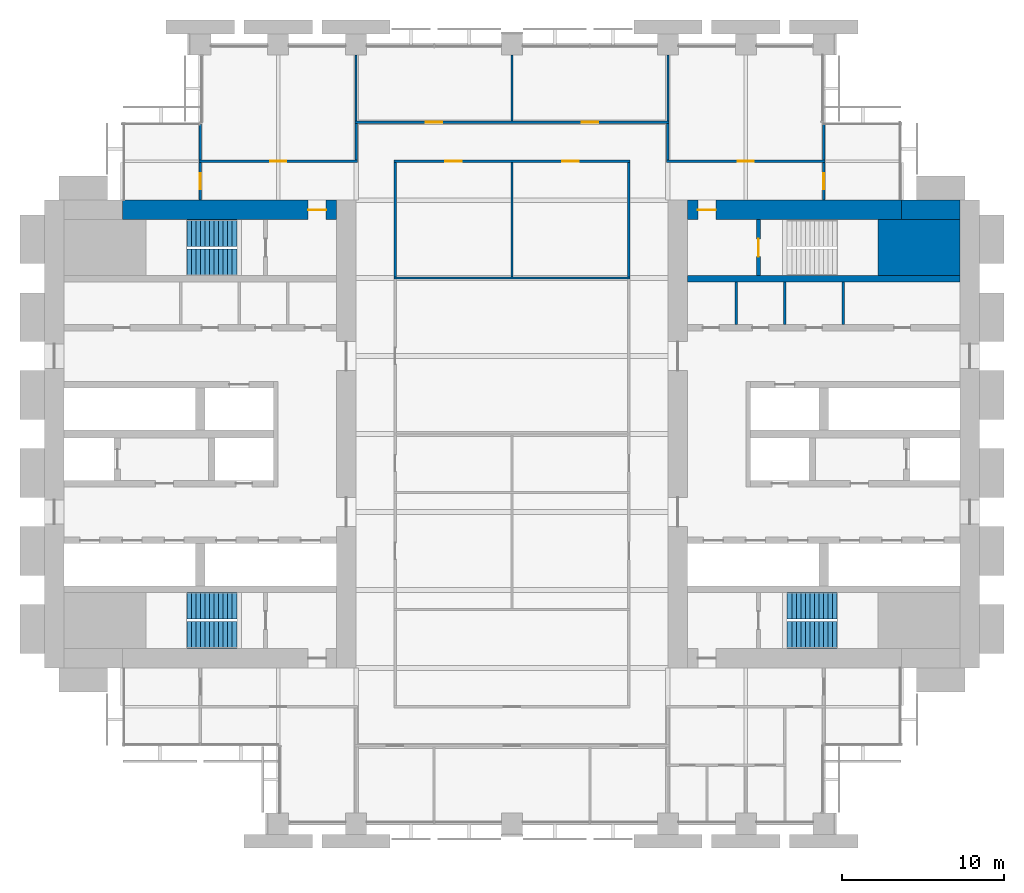
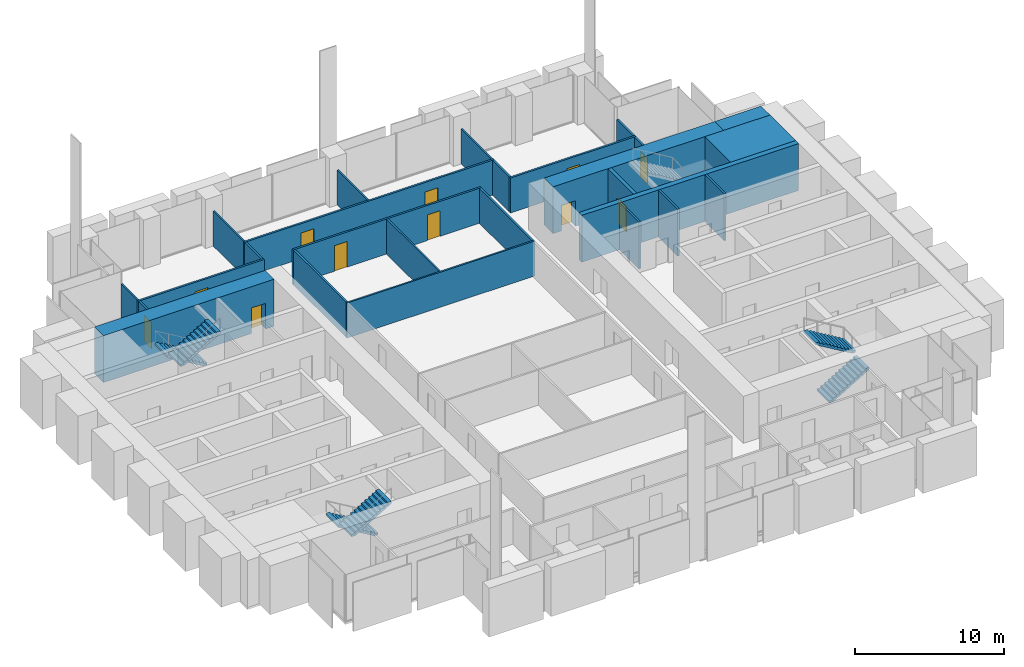
# One storey, part 12 of 14: 26 walls, 11 doors, 6 stair flights, 11 openings, 3 elements without a shape of their own.
"""IFC4 building model written with IfcOpenShell, lengths in metres."""

from ifc_helpers import new_model, si_unit, direction, frame, frame_2d, origin, place, context, subcontext, project, spatial, polyline, rectangle, outline, extrude, material, layer, layer_set, type_object, element, fill, aggregate, save


model = new_model("IFC4")

# Units and contexts
model_context = context("Model", 3, precision=1e-05, world=origin(), true_north=direction((0.0, 1.0)))
body_context = subcontext(model_context, "Body", "Model", "MODEL_VIEW")
ifc_project = project(units=[si_unit("LENGTHUNIT", "METRE"), si_unit("AREAUNIT", "SQUARE_METRE"), si_unit("VOLUMEUNIT", "CUBIC_METRE"), si_unit("PLANEANGLEUNIT", "RADIAN"), si_unit("MASSUNIT", "GRAM", prefix="KILO")], contexts=[model_context])

# Site, building, storey
site_placement = place(None, origin())
site = spatial("IfcSite", under=ifc_project, at=site_placement, CompositionType="ELEMENT")
building_placement = place(site_placement, origin())
building = spatial("IfcBuilding", under=site, at=building_placement, Name="Baori Bourse Tower", CompositionType="ELEMENT")
storey_placement = place(building_placement, frame((0.0, 0.0, 51.0)))
storey = spatial("IfcBuildingStorey", under=building, at=storey_placement, Name="L10", CompositionType="ELEMENT", Elevation=51.0)

# Walls
ifc_material_1 = material(Name="Concrete f'c 70 MPa", Category="concrete")
wall_type_1 = type_object("IfcWallType", Name="Core corner block f'c 70", PredefinedType="SHEAR", material=ifc_material_1)
wall_1_placement = place(storey_placement, frame((51.35009765625, 35.47509765625, 0.0), z_axis=(0.0, 0.0, 1.0), x_axis=(1.0, 0.0, 0.0)))
element("IfcWall", 1, at=wall_1_placement, inside=storey, type_object=wall_type_1, Name="Core wall E22", PredefinedType="SHEAR", context=body_context, shape_type="SweptSolid", body=[
    extrude(rectangle(XDim=5.0498046875, YDim=3.449951171875, at=frame_2d((2.52490234375, 0.0))), origin(), (0.0, 0.0, 1.0), 3.840087890625),
])
ifc_material_2 = material(Name="Blockwork partition", Category="masonry")
ifc_layer_1 = layer(ifc_material_2, 0.14990234375)
ifc_layer_set_1 = layer_set([ifc_layer_1], Name="Core partition 150")
wall_type_2 = type_object("IfcWallType", Name="Core partition 150", PredefinedType="PARTITIONING", material=ifc_layer_set_1)
for number, where, z_axis, x_axis, name in (
    (2, (49.199951171875, 30.75, 0.0), (0.0, 0.0, 1.0), (0.0, 1.0, 0.0), "Partition wall E18"),
    (3, (45.60009765625, 30.75, 0.0), (0.0, 0.0, 1.0), (0.0, 1.0, 0.0), "Partition wall E19"),
    (4, (42.60009765625, 30.75, 0.0), (0.0, 0.0, 1.0), (0.0, 1.0, 0.0), "Partition wall E20"),
):
    element("IfcWall", number, at=place(storey_placement, frame(where, z_axis=z_axis, x_axis=x_axis)), inside=storey, type_object=wall_type_2, Name=name, PredefinedType="PARTITIONING", context=body_context, shape_type="SweptSolid", body=[
        extrude(rectangle(XDim=2.60009765625, YDim=0.14990234375, at=frame_2d((1.300048828125, 0.0))), origin(), (0.0, 0.0, 1.0), 3.840087890625),
    ])

# Wall, opening, door
ifc_material_3 = material(Name="Concrete f'c 70 MPa", Category="concrete")
ifc_layer_2 = layer(ifc_material_3, 1.199951171875)
ifc_layer_set_2 = layer_set([ifc_layer_2], Name="Core wall 1200 f'c 70")
wall_type_3 = type_object("IfcWallType", Name="Core wall 1200 f'c 70", PredefinedType="SHEAR", material=ifc_layer_set_2)
wall_2_placement = place(storey_placement, frame((4.800048828125, 37.800048828125, 0.0), z_axis=(0.0, 0.0, 1.0), x_axis=(1.0, 0.0, 0.0)))
wall_2 = element("IfcWall", 5, at=wall_2_placement, inside=storey, type_object=wall_type_3, Name="Core wall W25", PredefinedType="SHEAR", context=body_context, shape_type="SweptSolid", body=[
    extrude(rectangle(XDim=13.199951171875, YDim=1.199951171875, at=frame_2d((6.60009765625, 0.0))), origin(), (0.0, 0.0, 1.0), 3.840087890625),
])
opening_1_placement = place(wall_2_placement, frame((11.449951171875, 0.0, 0.0)))
opening_1 = element("IfcOpeningElement", 6, at=opening_1_placement, cuts=wall_2, Name="Opening L10-D104", PredefinedType="OPENING", context=body_context, shape_type="SweptSolid", body=[
    extrude(rectangle(XDim=1.10009765625, YDim=2.10009765625, at=frame_2d((0.550048828125, 1.050048828125))), frame((0.0, 0.60986328125, 0.0), z_axis=(0.0, -1.0, 0.0), x_axis=(1.0, 0.0, 0.0)), (0.0, 0.0, 1.0), 1.219970703125),
])
ifc_material_4 = material(Name="Painted steel door", Category="steel")
door_type_1 = type_object("IfcDoorType", Name="Stair door 1100", OperationType="SINGLE_SWING_LEFT", PredefinedType="DOOR", material=ifc_material_4)
door_1_placement = place(opening_1_placement, origin())
door_1 = element("IfcDoor", 7, at=door_1_placement, inside=storey, type_object=door_type_1, Name="Stair vestibule door B W L10", OperationType="SINGLE_SWING_LEFT", OverallHeight=2.10009765625, OverallWidth=1.10009765625, PredefinedType="DOOR", context=body_context, shape_type="SweptSolid", body=[
    extrude(rectangle(XDim=1.10009765625, YDim=2.10009765625, at=frame_2d((0.550048828125, 1.050048828125))), frame((0.0, 0.02490234375, 0.0), z_axis=(0.0, -1.0, 0.0), x_axis=(1.0, 0.0, 0.0)), (0.0, 0.0, 1.0), 0.050048828125),
])
fill(opening_1, door_1)

# Wall
wall_3_placement = place(storey_placement, frame((52.800048828125, 37.800048828125, 0.0), z_axis=(0.0, 0.0, 1.0), x_axis=(1.0, 0.0, 0.0)))
element("IfcWall", 8, at=wall_3_placement, inside=storey, type_object=wall_type_3, Name="Core wall E24", PredefinedType="SHEAR", context=body_context, shape_type="SweptSolid", body=[
    extrude(rectangle(XDim=3.599853515625, YDim=1.199951171875, at=frame_2d((1.7998046875, 0.0))), origin(), (0.0, 0.0, 1.0), 3.840087890625),
])

# Wall, opening, door
wall_4_placement = place(storey_placement, frame((39.60009765625, 37.800048828125, 0.0), z_axis=(0.0, 0.0, 1.0), x_axis=(1.0, 0.0, 0.0)))
wall_4 = element("IfcWall", 9, at=wall_4_placement, inside=storey, type_object=wall_type_3, Name="Core wall E25", PredefinedType="SHEAR", context=body_context, shape_type="SweptSolid", body=[
    extrude(rectangle(XDim=13.199951171875, YDim=1.199951171875, at=frame_2d((6.60009765625, 0.0))), origin(), (0.0, 0.0, 1.0), 3.840087890625),
])
opening_2_placement = place(wall_4_placement, frame((0.64990234375, 0.0, 0.0)))
opening_2 = element("IfcOpeningElement", 10, at=opening_2_placement, cuts=wall_4, Name="Opening L10-D204", PredefinedType="OPENING", context=body_context, shape_type="SweptSolid", body=[
    extrude(rectangle(XDim=1.10009765625, YDim=2.10009765625, at=frame_2d((0.550048828125, 1.050048828125))), frame((0.0, 0.60986328125, 0.0), z_axis=(0.0, -1.0, 0.0), x_axis=(1.0, 0.0, 0.0)), (0.0, 0.0, 1.0), 1.219970703125),
])
door_2_placement = place(opening_2_placement, origin())
door_2 = element("IfcDoor", 11, at=door_2_placement, inside=storey, type_object=door_type_1, Name="Stair vestibule door B E L10", OperationType="SINGLE_SWING_LEFT", OverallHeight=2.10009765625, OverallWidth=1.10009765625, PredefinedType="DOOR", context=body_context, shape_type="SweptSolid", body=[
    extrude(rectangle(XDim=1.10009765625, YDim=2.10009765625, at=frame_2d((0.550048828125, 1.050048828125))), frame((0.0, 0.02490234375, 0.0), z_axis=(0.0, -1.0, 0.0), x_axis=(1.0, 0.0, 0.0)), (0.0, 0.0, 1.0), 0.050048828125),
])
fill(opening_2, door_2)

ifc_material_5 = material(Name="Gypsum board partition")
ifc_layer_3 = layer(ifc_material_5, 0.14990234375)
ifc_layer_set_3 = layer_set([ifc_layer_3], Name="Corridor partition 150")
wall_type_4 = type_object("IfcWallType", Name="Corridor partition 150", PredefinedType="PARTITIONING", material=ifc_layer_set_3)
wall_5_placement = place(storey_placement, frame((9.52490234375, 40.800048828125, 0.0), z_axis=(0.0, 0.0, 1.0), x_axis=(1.0, 0.0, 0.0)))
wall_5 = element("IfcWall", 12, at=wall_5_placement, inside=storey, type_object=wall_type_4, Name="Partition", PredefinedType="PARTITIONING", context=body_context, shape_type="SweptSolid", body=[
    extrude(rectangle(XDim=9.75, YDim=0.14990234375, at=frame_2d((4.875, 0.0))), origin(), (0.0, 0.0, 1.0), 2.86962890625),
])
opening_3_placement = place(wall_5_placement, frame((4.375, 0.0, 0.0)))
opening_3 = element("IfcOpeningElement", 13, at=opening_3_placement, cuts=wall_5, Name="Opening L10-D11", PredefinedType="OPENING", context=body_context, shape_type="SweptSolid", body=[
    extrude(rectangle(XDim=1.0, YDim=2.10009765625, at=frame_2d((0.5, 1.050048828125))), frame((0.0, 0.0849609375, 0.0), z_axis=(0.0, -1.0, 0.0), x_axis=(1.0, 0.0, 0.0)), (0.0, 0.0, 1.0), 0.169921875),
])
ifc_material_6 = material(Name="Timber door leaf", Category="wood")
door_type_2 = type_object("IfcDoorType", Name="Door 1000 x 2100", OperationType="SINGLE_SWING_LEFT", PredefinedType="DOOR", material=ifc_material_6)
door_3_placement = place(opening_3_placement, origin())
door_3 = element("IfcDoor", 14, at=door_3_placement, inside=storey, type_object=door_type_2, Name="Door", OperationType="SINGLE_SWING_LEFT", OverallHeight=2.10009765625, OverallWidth=1.0, PredefinedType="DOOR", context=body_context, shape_type="SweptSolid", body=[
    extrude(rectangle(XDim=1.0, YDim=2.10009765625, at=frame_2d((0.5, 1.050048828125))), frame((0.0, 0.02490234375, 0.0), z_axis=(0.0, -1.0, 0.0), x_axis=(1.0, 0.0, 0.0)), (0.0, 0.0, 1.0), 0.050048828125),
])
fill(opening_3, door_3)

# Wall, openings, doors
wall_6_placement = place(storey_placement, frame((21.52490234375, 40.800048828125, 0.0), z_axis=(0.0, 0.0, 1.0), x_axis=(1.0, 0.0, 0.0)))
wall_6 = element("IfcWall", 15, at=wall_6_placement, inside=storey, type_object=wall_type_4, Name="Partition", PredefinedType="PARTITIONING", context=body_context, shape_type="SweptSolid", body=[
    extrude(rectangle(XDim=14.550048828125, YDim=0.14990234375, at=frame_2d((7.27490234375, 0.0))), origin(), (0.0, 0.0, 1.0), 2.86962890625),
])
opening_4_placement = place(wall_6_placement, frame((3.175048828125, 0.0, 0.0)))
opening_4 = element("IfcOpeningElement", 16, at=opening_4_placement, cuts=wall_6, Name="Opening L10-D12", PredefinedType="OPENING", context=body_context, shape_type="SweptSolid", body=[
    extrude(rectangle(XDim=1.0, YDim=2.10009765625, at=frame_2d((0.5, 1.050048828125))), frame((0.0, 0.0849609375, 0.0), z_axis=(0.0, -1.0, 0.0), x_axis=(1.0, 0.0, 0.0)), (0.0, 0.0, 1.0), 0.169921875),
])
opening_5_placement = place(wall_6_placement, frame((10.375, 0.0, 0.0)))
opening_5 = element("IfcOpeningElement", 17, at=opening_5_placement, cuts=wall_6, Name="Opening L10-D13", PredefinedType="OPENING", context=body_context, shape_type="SweptSolid", body=[
    extrude(rectangle(XDim=1.0, YDim=2.10009765625, at=frame_2d((0.5, 1.050048828125))), frame((0.0, 0.0849609375, 0.0), z_axis=(0.0, -1.0, 0.0), x_axis=(1.0, 0.0, 0.0)), (0.0, 0.0, 1.0), 0.169921875),
])
door_4_placement = place(opening_4_placement, origin())
door_4 = element("IfcDoor", 18, at=door_4_placement, inside=storey, type_object=door_type_2, Name="Door", OperationType="SINGLE_SWING_LEFT", OverallHeight=2.10009765625, OverallWidth=1.0, PredefinedType="DOOR", context=body_context, shape_type="SweptSolid", body=[
    extrude(rectangle(XDim=1.0, YDim=2.10009765625, at=frame_2d((0.5, 1.050048828125))), frame((0.0, 0.02490234375, 0.0), z_axis=(0.0, -1.0, 0.0), x_axis=(1.0, 0.0, 0.0)), (0.0, 0.0, 1.0), 0.050048828125),
])
fill(opening_4, door_4)
door_5_placement = place(opening_5_placement, origin())
door_5 = element("IfcDoor", 19, at=door_5_placement, inside=storey, type_object=door_type_2, Name="Door", OperationType="SINGLE_SWING_RIGHT", OverallHeight=2.10009765625, OverallWidth=1.0, PredefinedType="DOOR", context=body_context, shape_type="SweptSolid", body=[
    extrude(rectangle(XDim=1.0, YDim=2.10009765625, at=frame_2d((0.5, 1.050048828125))), frame((0.0, 0.02490234375, 0.0), z_axis=(0.0, -1.0, 0.0), x_axis=(1.0, 0.0, 0.0)), (0.0, 0.0, 1.0), 0.050048828125),
])
fill(opening_5, door_5)

# Wall, opening, door
wall_7_placement = place(storey_placement, frame((38.324951171875, 40.800048828125, 0.0), z_axis=(0.0, 0.0, 1.0), x_axis=(1.0, 0.0, 0.0)))
wall_7 = element("IfcWall", 20, at=wall_7_placement, inside=storey, type_object=wall_type_4, Name="Partition", PredefinedType="PARTITIONING", context=body_context, shape_type="SweptSolid", body=[
    extrude(rectangle(XDim=9.75, YDim=0.14990234375, at=frame_2d((4.875, 0.0))), origin(), (0.0, 0.0, 1.0), 2.86962890625),
])
opening_6_placement = place(wall_7_placement, frame((4.375, 0.0, 0.0)))
opening_6 = element("IfcOpeningElement", 21, at=opening_6_placement, cuts=wall_7, Name="Opening L10-D14", PredefinedType="OPENING", context=body_context, shape_type="SweptSolid", body=[
    extrude(rectangle(XDim=1.0, YDim=2.10009765625, at=frame_2d((0.5, 1.050048828125))), frame((0.0, 0.0849609375, 0.0), z_axis=(0.0, -1.0, 0.0), x_axis=(1.0, 0.0, 0.0)), (0.0, 0.0, 1.0), 0.169921875),
])
door_6_placement = place(opening_6_placement, origin())
door_6 = element("IfcDoor", 22, at=door_6_placement, inside=storey, type_object=door_type_2, Name="Door", OperationType="SINGLE_SWING_RIGHT", OverallHeight=2.10009765625, OverallWidth=1.0, PredefinedType="DOOR", context=body_context, shape_type="SweptSolid", body=[
    extrude(rectangle(XDim=1.0, YDim=2.10009765625, at=frame_2d((0.5, 1.050048828125))), frame((0.0, 0.02490234375, 0.0), z_axis=(0.0, -1.0, 0.0), x_axis=(1.0, 0.0, 0.0)), (0.0, 0.0, 1.0), 0.050048828125),
])
fill(opening_6, door_6)

# Wall, openings, doors
wall_8_placement = place(storey_placement, frame((19.125, 43.199951171875, 0.0), z_axis=(0.0, 0.0, 1.0), x_axis=(1.0, 0.0, 0.0)))
wall_8 = element("IfcWall", 23, at=wall_8_placement, inside=storey, type_object=wall_type_4, Name="Partition", PredefinedType="PARTITIONING", context=body_context, shape_type="SweptSolid", body=[
    extrude(rectangle(XDim=19.35009765625, YDim=0.14990234375, at=frame_2d((9.675048828125, 0.0))), origin(), (0.0, 0.0, 1.0), 2.86962890625),
])
opening_7_placement = place(wall_8_placement, frame((4.375, 0.0, 0.0)))
opening_7 = element("IfcOpeningElement", 24, at=opening_7_placement, cuts=wall_8, Name="Opening L10-D15", PredefinedType="OPENING", context=body_context, shape_type="SweptSolid", body=[
    extrude(rectangle(XDim=1.0, YDim=2.10009765625, at=frame_2d((0.5, 1.050048828125))), frame((0.0, 0.0849609375, 0.0), z_axis=(0.0, -1.0, 0.0), x_axis=(1.0, 0.0, 0.0)), (0.0, 0.0, 1.0), 0.169921875),
])
opening_8_placement = place(wall_8_placement, frame((13.97509765625, 0.0, 0.0)))
opening_8 = element("IfcOpeningElement", 25, at=opening_8_placement, cuts=wall_8, Name="Opening L10-D16", PredefinedType="OPENING", context=body_context, shape_type="SweptSolid", body=[
    extrude(rectangle(XDim=1.0, YDim=2.10009765625, at=frame_2d((0.5, 1.050048828125))), frame((0.0, 0.0849609375, 0.0), z_axis=(0.0, -1.0, 0.0), x_axis=(1.0, 0.0, 0.0)), (0.0, 0.0, 1.0), 0.169921875),
])
door_7_placement = place(opening_7_placement, origin())
door_7 = element("IfcDoor", 26, at=door_7_placement, inside=storey, type_object=door_type_2, Name="Door", OperationType="SINGLE_SWING_RIGHT", OverallHeight=2.10009765625, OverallWidth=1.0, PredefinedType="DOOR", context=body_context, shape_type="SweptSolid", body=[
    extrude(rectangle(XDim=1.0, YDim=2.10009765625, at=frame_2d((0.5, 1.050048828125))), frame((0.0, 0.02490234375, 0.0), z_axis=(0.0, -1.0, 0.0), x_axis=(1.0, 0.0, 0.0)), (0.0, 0.0, 1.0), 0.050048828125),
])
fill(opening_7, door_7)
door_8_placement = place(opening_8_placement, origin())
door_8 = element("IfcDoor", 27, at=door_8_placement, inside=storey, type_object=door_type_2, Name="Door", OperationType="SINGLE_SWING_LEFT", OverallHeight=2.10009765625, OverallWidth=1.0, PredefinedType="DOOR", context=body_context, shape_type="SweptSolid", body=[
    extrude(rectangle(XDim=1.0, YDim=2.10009765625, at=frame_2d((0.5, 1.050048828125))), frame((0.0, 0.02490234375, 0.0), z_axis=(0.0, -1.0, 0.0), x_axis=(1.0, 0.0, 0.0)), (0.0, 0.0, 1.0), 0.050048828125),
])
fill(opening_8, door_8)

# Wall, opening, door
wall_9_placement = place(storey_placement, frame((9.60009765625, 38.39990234375, 0.0), z_axis=(0.0, 0.0, 1.0), x_axis=(0.0, 1.0, 0.0)))
wall_9 = element("IfcWall", 28, at=wall_9_placement, inside=storey, type_object=wall_type_4, Name="Partition", PredefinedType="PARTITIONING", context=body_context, shape_type="SweptSolid", body=[
    extrude(rectangle(XDim=2.3251953125, YDim=0.14990234375, at=frame_2d((1.16259765625, 0.0))), origin(), (0.0, 0.0, 1.0), 2.86962890625),
])
opening_9_placement = place(wall_9_placement, frame((0.66259765625, 0.0, 0.0)))
opening_9 = element("IfcOpeningElement", 29, at=opening_9_placement, cuts=wall_9, Name="Opening L10-D18", PredefinedType="OPENING", context=body_context, shape_type="SweptSolid", body=[
    extrude(rectangle(XDim=1.0, YDim=2.10009765625, at=frame_2d((0.5, 1.050048828125))), frame((0.0, 0.0849609375, 0.0), z_axis=(0.0, -1.0, 0.0), x_axis=(1.0, 0.0, 0.0)), (0.0, 0.0, 1.0), 0.169921875),
])
door_9_placement = place(opening_9_placement, origin())
door_9 = element("IfcDoor", 30, at=door_9_placement, inside=storey, type_object=door_type_2, Name="Door", OperationType="SINGLE_SWING_RIGHT", OverallHeight=2.10009765625, OverallWidth=1.0, PredefinedType="DOOR", context=body_context, shape_type="SweptSolid", body=[
    extrude(rectangle(XDim=1.0, YDim=2.10009765625, at=frame_2d((0.5, 1.050048828125))), frame((0.0, 0.02490234375, 0.0), z_axis=(0.0, -1.0, 0.0), x_axis=(1.0, 0.0, 0.0)), (0.0, 0.0, 1.0), 0.050048828125),
])
fill(opening_9, door_9)

# Walls
wall_10_placement = place(storey_placement, frame((19.199951171875, 40.875, 0.0), z_axis=(0.0, 0.0, 1.0), x_axis=(0.0, 1.0, 0.0)))
element("IfcWall", 31, at=wall_10_placement, inside=storey, type_object=wall_type_4, Name="Partition", PredefinedType="PARTITIONING", context=body_context, shape_type="SweptSolid", body=[
    extrude(rectangle(XDim=2.25, YDim=0.14990234375, at=frame_2d((1.125, 0.0))), origin(), (0.0, 0.0, 1.0), 2.86962890625),
])
for number, where, z_axis, x_axis, name in (
    (32, (21.60009765625, 33.66259765625, 0.0), (0.0, 0.0, 1.0), (0.0, 1.0, 0.0), "Partition"),
    (33, (36.0, 33.66259765625, 0.0), (0.0, 0.0, 1.0), (0.0, 1.0, 0.0), "Partition"),
):
    element("IfcWall", number, at=place(storey_placement, frame(where, z_axis=z_axis, x_axis=x_axis)), inside=storey, type_object=wall_type_4, Name=name, PredefinedType="PARTITIONING", context=body_context, shape_type="SweptSolid", body=[
        extrude(rectangle(XDim=7.0625, YDim=0.14990234375, at=frame_2d((3.53125, 0.0))), origin(), (0.0, 0.0, 1.0), 2.86962890625),
    ])
wall_11_placement = place(storey_placement, frame((38.39990234375, 40.875, 0.0), z_axis=(0.0, 0.0, 1.0), x_axis=(0.0, 1.0, 0.0)))
element("IfcWall", 34, at=wall_11_placement, inside=storey, type_object=wall_type_4, Name="Partition", PredefinedType="PARTITIONING", context=body_context, shape_type="SweptSolid", body=[
    extrude(rectangle(XDim=2.25, YDim=0.14990234375, at=frame_2d((1.125, 0.0))), origin(), (0.0, 0.0, 1.0), 2.86962890625),
])

# Wall, opening, door
wall_12_placement = place(storey_placement, frame((48.0, 38.39990234375, 0.0), z_axis=(0.0, 0.0, 1.0), x_axis=(0.0, 1.0, 0.0)))
wall_12 = element("IfcWall", 35, at=wall_12_placement, inside=storey, type_object=wall_type_4, Name="Partition", PredefinedType="PARTITIONING", context=body_context, shape_type="SweptSolid", body=[
    extrude(rectangle(XDim=2.3251953125, YDim=0.14990234375, at=frame_2d((1.16259765625, 0.0))), origin(), (0.0, 0.0, 1.0), 2.86962890625),
])
opening_10_placement = place(wall_12_placement, frame((0.66259765625, 0.0, 0.0)))
opening_10 = element("IfcOpeningElement", 36, at=opening_10_placement, cuts=wall_12, Name="Opening L10-D25", PredefinedType="OPENING", context=body_context, shape_type="SweptSolid", body=[
    extrude(rectangle(XDim=1.0, YDim=2.10009765625, at=frame_2d((0.5, 1.050048828125))), frame((0.0, 0.0849609375, 0.0), z_axis=(0.0, -1.0, 0.0), x_axis=(1.0, 0.0, 0.0)), (0.0, 0.0, 1.0), 0.169921875),
])
door_10_placement = place(opening_10_placement, origin())
door_10 = element("IfcDoor", 37, at=door_10_placement, inside=storey, type_object=door_type_2, Name="Door", OperationType="SINGLE_SWING_LEFT", OverallHeight=2.10009765625, OverallWidth=1.0, PredefinedType="DOOR", context=body_context, shape_type="SweptSolid", body=[
    extrude(rectangle(XDim=1.0, YDim=2.10009765625, at=frame_2d((0.5, 1.050048828125))), frame((0.0, 0.02490234375, 0.0), z_axis=(0.0, -1.0, 0.0), x_axis=(1.0, 0.0, 0.0)), (0.0, 0.0, 1.0), 0.050048828125),
])
fill(opening_10, door_10)

# Walls
ifc_material_7 = material(Name="Gypsum board partition")
ifc_layer_4 = layer(ifc_material_7, 0.125)
ifc_layer_set_4 = layer_set([ifc_layer_4], Name="Partition 125")
wall_type_5 = type_object("IfcWallType", Name="Partition 125", PredefinedType="PARTITIONING", material=ifc_layer_set_4)
wall_13_placement = place(storey_placement, frame((21.52490234375, 33.60009765625, 0.0), z_axis=(0.0, 0.0, 1.0), x_axis=(1.0, 0.0, 0.0)))
element("IfcWall", 38, at=wall_13_placement, inside=storey, type_object=wall_type_5, Name="Partition", PredefinedType="PARTITIONING", context=body_context, shape_type="SweptSolid", body=[
    extrude(rectangle(XDim=14.550048828125, YDim=0.125, at=frame_2d((7.27490234375, 0.0))), origin(), (0.0, 0.0, 1.0), 2.86962890625),
])
wall_14_placement = place(storey_placement, frame((9.60009765625, 40.875, 0.0), z_axis=(0.0, 0.0, 1.0), x_axis=(0.0, 1.0, 0.0)))
element("IfcWall", 39, at=wall_14_placement, inside=storey, type_object=wall_type_5, Name="Partition", PredefinedType="PARTITIONING", context=body_context, shape_type="SweptSolid", body=[
    extrude(rectangle(XDim=2.22509765625, YDim=0.125, at=frame_2d((1.112548828125, 0.0))), origin(), (0.0, 0.0, 1.0), 2.86962890625),
])
wall_15_placement = place(storey_placement, frame((19.199951171875, 43.27490234375, 0.0), z_axis=(0.0, 0.0, 1.0), x_axis=(0.0, 1.0, 0.0)))
element("IfcWall", 40, at=wall_15_placement, inside=storey, type_object=wall_type_5, Name="Partition", PredefinedType="PARTITIONING", context=body_context, shape_type="SweptSolid", body=[
    extrude(rectangle(XDim=4.0751953125, YDim=0.125, at=frame_2d((2.03759765625, 0.0))), origin(), (0.0, 0.0, 1.0), 2.86962890625),
])
wall_16_placement = place(storey_placement, frame((28.800048828125, 33.66259765625, 0.0), z_axis=(0.0, 0.0, 1.0), x_axis=(0.0, 1.0, 0.0)))
element("IfcWall", 41, at=wall_16_placement, inside=storey, type_object=wall_type_5, Name="Partition", PredefinedType="PARTITIONING", context=body_context, shape_type="SweptSolid", body=[
    extrude(rectangle(XDim=7.0625, YDim=0.125, at=frame_2d((3.53125, 0.0))), origin(), (0.0, 0.0, 1.0), 2.86962890625),
])
for number, where, z_axis, x_axis, name in (
    (42, (28.800048828125, 43.27490234375, 0.0), (0.0, 0.0, 1.0), (0.0, 1.0, 0.0), "Partition"),
    (43, (38.39990234375, 43.27490234375, 0.0), (0.0, 0.0, 1.0), (0.0, 1.0, 0.0), "Partition"),
):
    element("IfcWall", number, at=place(storey_placement, frame(where, z_axis=z_axis, x_axis=x_axis)), inside=storey, type_object=wall_type_5, Name=name, PredefinedType="PARTITIONING", context=body_context, shape_type="SweptSolid", body=[
        extrude(rectangle(XDim=4.0751953125, YDim=0.125, at=frame_2d((2.03759765625, 0.0))), origin(), (0.0, 0.0, 1.0), 2.86962890625),
    ])
wall_17_placement = place(storey_placement, frame((48.0, 40.875, 0.0), z_axis=(0.0, 0.0, 1.0), x_axis=(0.0, 1.0, 0.0)))
element("IfcWall", 44, at=wall_17_placement, inside=storey, type_object=wall_type_5, Name="Partition", PredefinedType="PARTITIONING", context=body_context, shape_type="SweptSolid", body=[
    extrude(rectangle(XDim=2.22509765625, YDim=0.125, at=frame_2d((1.112548828125, 0.0))), origin(), (0.0, 0.0, 1.0), 2.86962890625),
])

# Wall, opening, door
ifc_material_8 = material(Name="Concrete f'c 70 MPa", Category="concrete")
ifc_layer_5 = layer(ifc_material_8, 0.25)
ifc_layer_set_5 = layer_set([ifc_layer_5], Name="Shaft wall 250 f'c 70")
wall_type_6 = type_object("IfcWallType", Name="Shaft wall 250 f'c 70", PredefinedType="SHEAR", material=ifc_layer_set_5)
wall_18_placement = place(storey_placement, frame((43.97509765625, 33.75, 0.0), z_axis=(0.0, 0.0, 1.0), x_axis=(0.0, 1.0, 0.0)))
wall_18 = element("IfcWall", 45, at=wall_18_placement, inside=storey, type_object=wall_type_6, Name="Core wall E23", PredefinedType="SHEAR", context=body_context, shape_type="SweptSolid", body=[
    extrude(rectangle(XDim=3.449951171875, YDim=0.25, at=frame_2d((1.72509765625, 0.0))), origin(), (0.0, 0.0, 1.0), 3.840087890625),
])
opening_11_placement = place(wall_18_placement, frame((1.175048828125, 0.0, 0.0)))
opening_11 = element("IfcOpeningElement", 46, at=opening_11_placement, cuts=wall_18, Name="Opening L10-D203", PredefinedType="OPENING", context=body_context, shape_type="SweptSolid", body=[
    extrude(rectangle(XDim=1.10009765625, YDim=2.10009765625, at=frame_2d((0.550048828125, 1.050048828125))), frame((0.0, 0.135009765625, 0.0), z_axis=(0.0, -1.0, 0.0), x_axis=(1.0, 0.0, 0.0)), (0.0, 0.0, 1.0), 0.27001953125),
])
door_11_placement = place(opening_11_placement, origin())
door_11 = element("IfcDoor", 47, at=door_11_placement, inside=storey, type_object=door_type_1, Name="Stair door B E L10", OperationType="SINGLE_SWING_LEFT", OverallHeight=2.10009765625, OverallWidth=1.10009765625, PredefinedType="DOOR", context=body_context, shape_type="SweptSolid", body=[
    extrude(rectangle(XDim=1.10009765625, YDim=2.10009765625, at=frame_2d((0.550048828125, 1.050048828125))), frame((0.0, 0.02490234375, 0.0), z_axis=(0.0, -1.0, 0.0), x_axis=(1.0, 0.0, 0.0)), (0.0, 0.0, 1.0), 0.050048828125),
])
fill(opening_11, door_11)

# Wall
ifc_material_9 = material(Name="Concrete f'c 70 MPa", Category="concrete")
ifc_layer_6 = layer(ifc_material_9, 0.39990234375)
ifc_layer_set_6 = layer_set([ifc_layer_6], Name="Shaft wall 400 f'c 70")
wall_type_7 = type_object("IfcWallType", Name="Shaft wall 400 f'c 70", PredefinedType="SHEAR", material=ifc_layer_set_6)
wall_19_placement = place(storey_placement, frame((39.60009765625, 33.550048828125, 0.0), z_axis=(0.0, 0.0, 1.0), x_axis=(1.0, 0.0, 0.0)))
element("IfcWall", 48, at=wall_19_placement, inside=storey, type_object=wall_type_7, Name="Core wall E21", PredefinedType="SHEAR", context=body_context, shape_type="SweptSolid", body=[
    extrude(rectangle(XDim=16.7998046875, YDim=0.39990234375, at=frame_2d((8.39990234375, 0.0))), origin(), (0.0, 0.0, 1.0), 3.840087890625),
])

# Stair, stair flights
ifc_material_10 = material(Name="Concrete f'c 50 MPa", Category="concrete")
stair_type = type_object("IfcStairType", Name="Core stair", PredefinedType="HALF_TURN_STAIR", material=ifc_material_10)
stair_1_placement = place(storey_placement, origin())
stair_1 = element("IfcStair", 49, at=stair_1_placement, inside=storey, type_object=stair_type, Name="L10 Stair WA", PredefinedType="HALF_TURN_STAIR")
ifc_material_11 = material(Name="Concrete f'c 50 MPa", Category="concrete")
stair_flight_type = type_object("IfcStairFlightType", Name="Core stair flight", PredefinedType="STRAIGHT", material=ifc_material_11)
stair_flight_1_placement = place(storey_placement, frame((11.85009765625, 13.425048828125, 0.0), z_axis=(0.0, 0.0, 1.0), x_axis=(-1.0, 0.0, 0.0)))
stair_flight_1 = element("IfcStairFlight", 50, at=stair_flight_1_placement, type_object=stair_flight_type, Name="ST1 flight 1", NumberOfRisers=12, NumberOfTreads=11, PredefinedType="STRAIGHT", RiserHeight=0.166666667, TreadLength=0.28, context=body_context, shape_type="SweptSolid", body=[
    extrude(outline(polyline([(0.0, 0.0), (0.0, 0.166748046875), (0.280029296875, 0.166748046875), (0.280029296875, 0.333251953125), (0.56005859375, 0.333251953125), (0.56005859375, 0.5), (0.840087890625, 0.5), (0.840087890625, 0.666748046875), (1.1201171875, 0.666748046875), (1.1201171875, 0.833251953125), (1.39990234375, 0.833251953125), (1.39990234375, 1.0), (1.679931640625, 1.0), (1.679931640625, 1.166748046875), (1.9599609375, 1.166748046875), (1.9599609375, 1.333251953125), (2.239990234375, 1.333251953125), (2.239990234375, 1.5), (2.52001953125, 1.5), (2.52001953125, 1.666748046875), (2.800048828125, 1.666748046875), (2.800048828125, 1.833251953125), (3.080078125, 1.833251953125), (3.080078125, 2.0), (3.080078125, 1.658935546875), (0.29296875, 0.0), (0.0, 0.0)])), frame((0.0, 0.824951171875, 0.0), z_axis=(0.0, -1.0, 0.0), x_axis=(1.0, 0.0, 0.0)), (0.0, 0.0, 1.0), 1.64990234375),
])
stair_flight_2_placement = place(storey_placement, frame((8.77001953125, 11.625, 2.0), z_axis=(0.0, 0.0, 1.0), x_axis=(1.0, 0.0, 0.0)))
stair_flight_2 = element("IfcStairFlight", 51, at=stair_flight_2_placement, type_object=stair_flight_type, Name="ST1 flight 2", NumberOfRisers=12, NumberOfTreads=11, PredefinedType="STRAIGHT", RiserHeight=0.166666667, TreadLength=0.28, context=body_context, shape_type="SweptSolid", body=[
    extrude(outline(polyline([(0.0, 0.0), (0.0, 0.166748046875), (0.280029296875, 0.166748046875), (0.280029296875, 0.333251953125), (0.56005859375, 0.333251953125), (0.56005859375, 0.5), (0.840087890625, 0.5), (0.840087890625, 0.666748046875), (1.1201171875, 0.666748046875), (1.1201171875, 0.833251953125), (1.39990234375, 0.833251953125), (1.39990234375, 1.0), (1.679931640625, 1.0), (1.679931640625, 1.166748046875), (1.9599609375, 1.166748046875), (1.9599609375, 1.333251953125), (2.239990234375, 1.333251953125), (2.239990234375, 1.5), (2.52001953125, 1.5), (2.52001953125, 1.666748046875), (2.800048828125, 1.666748046875), (2.800048828125, 1.833251953125), (3.080078125, 1.833251953125), (3.080078125, 2.0), (3.080078125, 1.658935546875), (0.29296875, 0.0), (0.0, 0.0)])), frame((0.0, 0.824951171875, 0.0), z_axis=(0.0, -1.0, 0.0), x_axis=(1.0, 0.0, 0.0)), (0.0, 0.0, 1.0), 1.64990234375),
])
aggregate(stair_1, [stair_flight_1, stair_flight_2])

stair_2_placement = place(storey_placement, origin())
stair_2 = element("IfcStair", 52, at=stair_2_placement, inside=storey, type_object=stair_type, Name="L10 Stair WB", PredefinedType="HALF_TURN_STAIR")
stair_flight_3_placement = place(storey_placement, frame((11.85009765625, 36.375, 0.0), z_axis=(0.0, 0.0, 1.0), x_axis=(-1.0, 0.0, 0.0)))
stair_flight_3 = element("IfcStairFlight", 53, at=stair_flight_3_placement, type_object=stair_flight_type, Name="ST2 flight 1", NumberOfRisers=12, NumberOfTreads=11, PredefinedType="STRAIGHT", RiserHeight=0.166666667, TreadLength=0.28, context=body_context, shape_type="SweptSolid", body=[
    extrude(outline(polyline([(0.0, 0.0), (0.0, 0.166748046875), (0.280029296875, 0.166748046875), (0.280029296875, 0.333251953125), (0.56005859375, 0.333251953125), (0.56005859375, 0.5), (0.840087890625, 0.5), (0.840087890625, 0.666748046875), (1.1201171875, 0.666748046875), (1.1201171875, 0.833251953125), (1.39990234375, 0.833251953125), (1.39990234375, 1.0), (1.679931640625, 1.0), (1.679931640625, 1.166748046875), (1.9599609375, 1.166748046875), (1.9599609375, 1.333251953125), (2.239990234375, 1.333251953125), (2.239990234375, 1.5), (2.52001953125, 1.5), (2.52001953125, 1.666748046875), (2.800048828125, 1.666748046875), (2.800048828125, 1.833251953125), (3.080078125, 1.833251953125), (3.080078125, 2.0), (3.080078125, 1.658935546875), (0.29296875, 0.0), (0.0, 0.0)])), frame((0.0, 0.824951171875, 0.0), z_axis=(0.0, -1.0, 0.0), x_axis=(1.0, 0.0, 0.0)), (0.0, 0.0, 1.0), 1.64990234375),
])
stair_flight_4_placement = place(storey_placement, frame((8.77001953125, 34.574951171875, 2.0), z_axis=(0.0, 0.0, 1.0), x_axis=(1.0, 0.0, 0.0)))
stair_flight_4 = element("IfcStairFlight", 54, at=stair_flight_4_placement, type_object=stair_flight_type, Name="ST2 flight 2", NumberOfRisers=12, NumberOfTreads=11, PredefinedType="STRAIGHT", RiserHeight=0.166666667, TreadLength=0.28, context=body_context, shape_type="SweptSolid", body=[
    extrude(outline(polyline([(0.0, 0.0), (0.0, 0.166748046875), (0.280029296875, 0.166748046875), (0.280029296875, 0.333251953125), (0.56005859375, 0.333251953125), (0.56005859375, 0.5), (0.840087890625, 0.5), (0.840087890625, 0.666748046875), (1.1201171875, 0.666748046875), (1.1201171875, 0.833251953125), (1.39990234375, 0.833251953125), (1.39990234375, 1.0), (1.679931640625, 1.0), (1.679931640625, 1.166748046875), (1.9599609375, 1.166748046875), (1.9599609375, 1.333251953125), (2.239990234375, 1.333251953125), (2.239990234375, 1.5), (2.52001953125, 1.5), (2.52001953125, 1.666748046875), (2.800048828125, 1.666748046875), (2.800048828125, 1.833251953125), (3.080078125, 1.833251953125), (3.080078125, 2.0), (3.080078125, 1.658935546875), (0.29296875, 0.0), (0.0, 0.0)])), frame((0.0, 0.824951171875, 0.0), z_axis=(0.0, -1.0, 0.0), x_axis=(1.0, 0.0, 0.0)), (0.0, 0.0, 1.0), 1.64990234375),
])
aggregate(stair_2, [stair_flight_3, stair_flight_4])

stair_3_placement = place(storey_placement, origin())
stair_3 = element("IfcStair", 55, at=stair_3_placement, inside=storey, type_object=stair_type, Name="L10 Stair EA", PredefinedType="HALF_TURN_STAIR")
stair_flight_5_placement = place(storey_placement, frame((45.75, 11.625, 0.0), z_axis=(0.0, 0.0, 1.0), x_axis=(1.0, 0.0, 0.0)))
stair_flight_5 = element("IfcStairFlight", 56, at=stair_flight_5_placement, type_object=stair_flight_type, Name="ST3 flight 1", NumberOfRisers=12, NumberOfTreads=11, PredefinedType="STRAIGHT", RiserHeight=0.166666667, TreadLength=0.28, context=body_context, shape_type="SweptSolid", body=[
    extrude(outline(polyline([(0.0, 0.0), (0.0, 0.166748046875), (0.280029296875, 0.166748046875), (0.280029296875, 0.333251953125), (0.56005859375, 0.333251953125), (0.56005859375, 0.5), (0.840087890625, 0.5), (0.840087890625, 0.666748046875), (1.1201171875, 0.666748046875), (1.1201171875, 0.833251953125), (1.39990234375, 0.833251953125), (1.39990234375, 1.0), (1.679931640625, 1.0), (1.679931640625, 1.166748046875), (1.9599609375, 1.166748046875), (1.9599609375, 1.333251953125), (2.239990234375, 1.333251953125), (2.239990234375, 1.5), (2.52001953125, 1.5), (2.52001953125, 1.666748046875), (2.800048828125, 1.666748046875), (2.800048828125, 1.833251953125), (3.080078125, 1.833251953125), (3.080078125, 2.0), (3.080078125, 1.658935546875), (0.29296875, 0.0), (0.0, 0.0)])), frame((0.0, 0.824951171875, 0.0), z_axis=(0.0, -1.0, 0.0), x_axis=(1.0, 0.0, 0.0)), (0.0, 0.0, 1.0), 1.64990234375),
])
stair_flight_6_placement = place(storey_placement, frame((48.830078125, 13.425048828125, 2.0), z_axis=(0.0, 0.0, 1.0), x_axis=(-1.0, 0.0, 0.0)))
stair_flight_6 = element("IfcStairFlight", 57, at=stair_flight_6_placement, type_object=stair_flight_type, Name="ST3 flight 2", NumberOfRisers=12, NumberOfTreads=11, PredefinedType="STRAIGHT", RiserHeight=0.166666667, TreadLength=0.28, context=body_context, shape_type="SweptSolid", body=[
    extrude(outline(polyline([(0.0, 0.0), (0.0, 0.166748046875), (0.280029296875, 0.166748046875), (0.280029296875, 0.333251953125), (0.56005859375, 0.333251953125), (0.56005859375, 0.5), (0.840087890625, 0.5), (0.840087890625, 0.666748046875), (1.1201171875, 0.666748046875), (1.1201171875, 0.833251953125), (1.39990234375, 0.833251953125), (1.39990234375, 1.0), (1.679931640625, 1.0), (1.679931640625, 1.166748046875), (1.9599609375, 1.166748046875), (1.9599609375, 1.333251953125), (2.239990234375, 1.333251953125), (2.239990234375, 1.5), (2.52001953125, 1.5), (2.52001953125, 1.666748046875), (2.800048828125, 1.666748046875), (2.800048828125, 1.833251953125), (3.080078125, 1.833251953125), (3.080078125, 2.0), (3.080078125, 1.658935546875), (0.29296875, 0.0), (0.0, 0.0)])), frame((0.0, 0.824951171875, 0.0), z_axis=(0.0, -1.0, 0.0), x_axis=(1.0, 0.0, 0.0)), (0.0, 0.0, 1.0), 1.64990234375),
])
aggregate(stair_3, [stair_flight_5, stair_flight_6])

save(model, "model.ifc")
